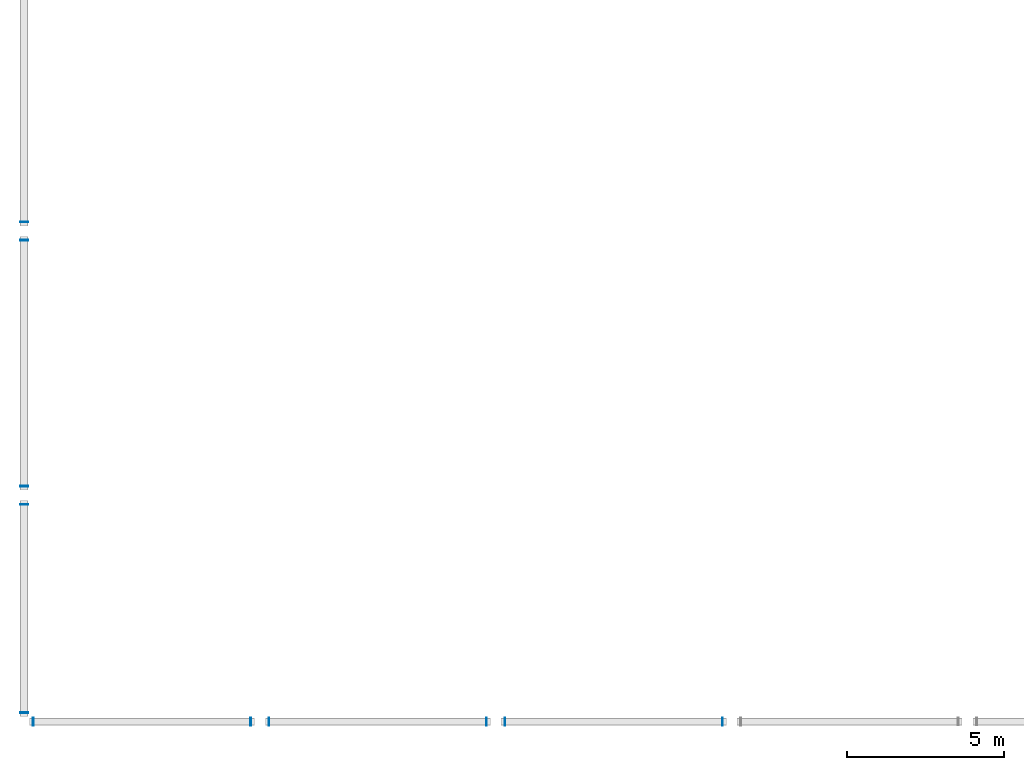
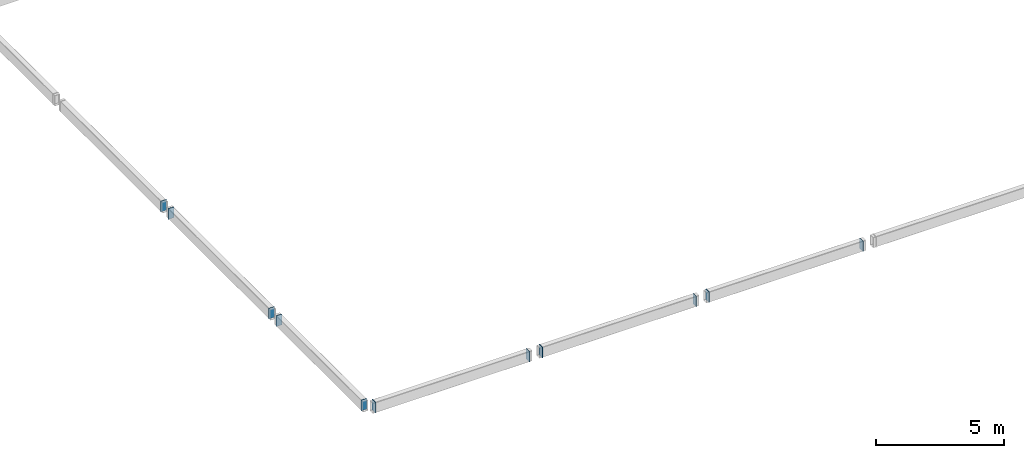
# One storey, part 26 of 45: 11 plates.
"""IFC4 building model written with IfcOpenShell, lengths in metres."""

from ifc_helpers import new_model, si_unit, direction, frame, origin, origin_2d, place, context, subcontext, project, spatial, rectangle, extrude, material, layer, layer_set, type_object, element, save


model = new_model("IFC4")

# Units and contexts
model_context = context("Model", 3, precision=1e-05, world=origin(), true_north=direction((0.0, 1.0)))
body_context = subcontext(model_context, "Body", "Model", "MODEL_VIEW")
ifc_project = project(units=[si_unit("LENGTHUNIT", "METRE"), si_unit("AREAUNIT", "SQUARE_METRE"), si_unit("VOLUMEUNIT", "CUBIC_METRE"), si_unit("PLANEANGLEUNIT", "RADIAN"), si_unit("MASSUNIT", "GRAM", prefix="KILO")], contexts=[model_context])

# Site, building, storey
site_placement = place(None, origin())
site = spatial("IfcSite", under=ifc_project, at=site_placement, CompositionType="ELEMENT")
building_placement = place(site_placement, origin())
building = spatial("IfcBuilding", under=site, at=building_placement, Name="Yukiwa Park Conservatory and Herbarium", CompositionType="ELEMENT")
storey_placement = place(building_placement, frame((0.0, 0.0, 9.0)))
storey = spatial("IfcBuildingStorey", under=building, at=storey_placement, Name="L02", CompositionType="ELEMENT", Elevation=9.0)

# Plates
ifc_material = material(Name="Steel Q355D", Category="steel")
ifc_layer = layer(ifc_material, 0.02392578125)
ifc_layer_set = layer_set([ifc_layer], Name="Steel Q355D")
plate_type = type_object("IfcPlateType", Name="PL-CAP-24", PredefinedType="USERDEFINED", material=ifc_layer_set)
for number, where, z_axis, x_axis, name in (
    (1, (0.302978515625, 0.0, -0.25), (-1.0, 0.0, 0.0), (0.0, -1.0, 0.0), "Hollow section end cap plate CAP-VRNG-S-1A"),
    (2, (7.197021484375, 0.0, -0.25), (1.0, 0.0, 0.0), (0.0, 1.0, 0.0), "Hollow section end cap plate CAP-VRNG-S-1B"),
    (3, (7.802978515625, 0.0, -0.25), (-1.0, 0.0, 0.0), (0.0, -1.0, 0.0), "Hollow section end cap plate CAP-VRNG-S-2A"),
    (4, (14.697021484375, 0.0, -0.25), (1.0, 0.0, 0.0), (0.0, 1.0, 0.0), "Hollow section end cap plate CAP-VRNG-S-2B"),
    (5, (15.302978515625, 0.0, -0.25), (-1.0, 0.0, 0.0), (0.0, -1.0, 0.0), "Hollow section end cap plate CAP-VRNG-S-3A"),
    (6, (22.197021484375, 0.0, -0.25), (1.0, 0.0, 0.0), (0.0, 1.0, 0.0), "Hollow section end cap plate CAP-VRNG-S-3B"),
    (7, (0.0, 0.302978515625, -0.25), (0.0, -1.0, 0.0), (1.0, 0.0, 0.0), "Hollow section end cap plate CAP-VGBL-W-1A"),
    (8, (0.0, 6.89697265625, -0.25), (0.0, 1.0, 0.0), (-1.0, 0.0, 0.0), "Hollow section end cap plate CAP-VGBL-W-1B"),
    (9, (0.0, 7.5029296875, -0.25), (0.0, -1.0, 0.0), (1.0, 0.0, 0.0), "Hollow section end cap plate CAP-VGBL-W-2A"),
    (10, (0.0, 15.297119140625, -0.25), (0.0, 1.0, 0.0), (-1.0, 0.0, 0.0), "Hollow section end cap plate CAP-VGBL-W-2B"),
):
    element("IfcPlate", number, at=place(storey_placement, frame(where, z_axis=z_axis, x_axis=x_axis)), inside=storey, type_object=plate_type, Name=name, ObjectType="END CAP PLATE", PredefinedType="USERDEFINED", context=body_context, shape_type="SweptSolid", body=[
        extrude(rectangle(XDim=0.258056640625, YDim=0.508056640625, at=origin_2d()), origin(), (0.0, 0.0, 1.0), 0.02392578125),
    ])
plate_placement = place(storey_placement, frame((0.0, 15.903076171875, -0.25), z_axis=(0.0, -1.0, 0.0), x_axis=(1.0, 0.0, 0.0)))
element("IfcPlate", 11, at=plate_placement, inside=storey, type_object=plate_type, Name="Hollow section end cap plate CAP-VGBL-W-3A", ObjectType="END CAP PLATE", PredefinedType="USERDEFINED", context=body_context, shape_type="SweptSolid", body=[
    extrude(rectangle(XDim=0.258056640625, YDim=0.508056640625, at=origin_2d()), origin(), (0.0, 0.0, 1.0), 0.024169921875),
])

save(model, "model.ifc")
